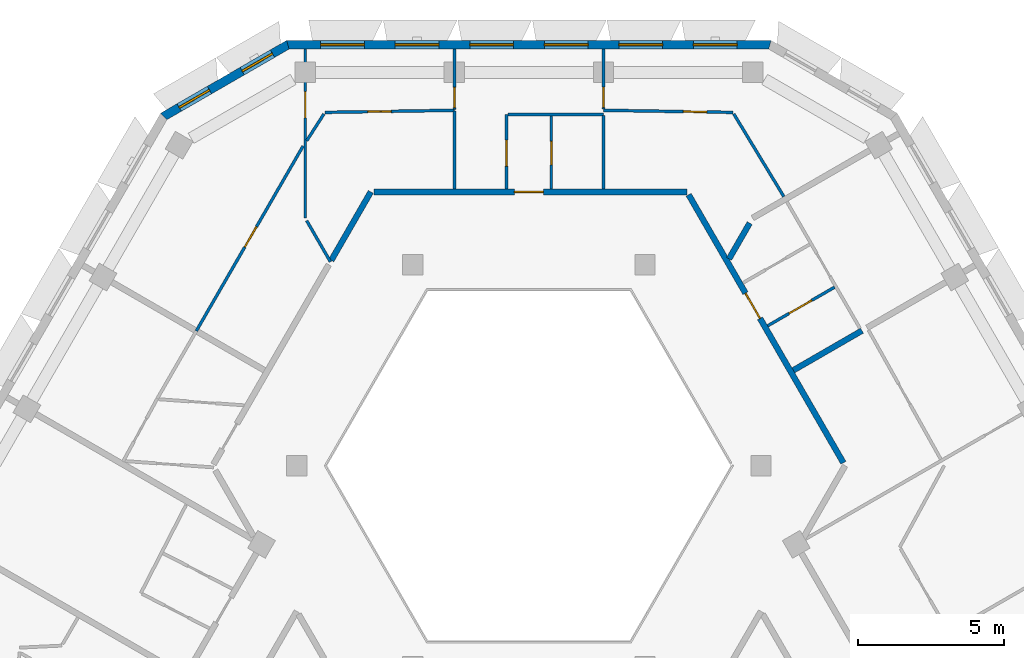
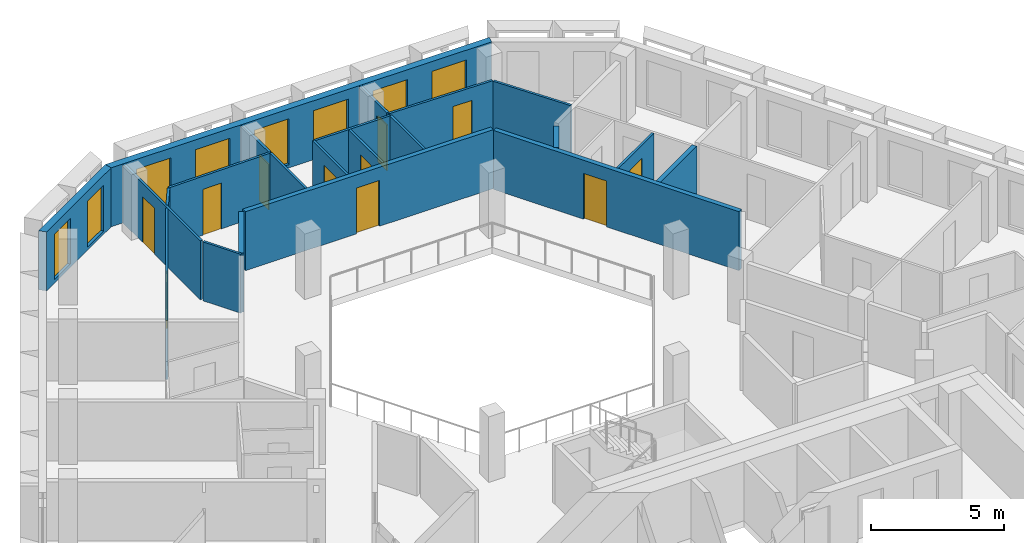
# One storey, part 8 of 16: 22 walls, 11 doors, 8 windows, 19 openings.
"""IFC4 building model written with IfcOpenShell, lengths in metres."""

from ifc_helpers import new_model, si_unit, direction, frame, frame_2d, origin, place, context, subcontext, project, spatial, polyline, rectangle, outline, extrude, material, layer, layer_set, type_object, element, fill, save


model = new_model("IFC4")

# Units and contexts
model_context = context("Model", 3, precision=1e-05, world=origin(), true_north=direction((0.0, 1.0)))
body_context = subcontext(model_context, "Body", "Model", "MODEL_VIEW")
ifc_project = project(units=[si_unit("LENGTHUNIT", "METRE"), si_unit("AREAUNIT", "SQUARE_METRE"), si_unit("VOLUMEUNIT", "CUBIC_METRE"), si_unit("PLANEANGLEUNIT", "RADIAN"), si_unit("MASSUNIT", "GRAM", prefix="KILO")], contexts=[model_context])

# Site, building, storey
site_placement = place(None, origin())
site = spatial("IfcSite", under=ifc_project, at=site_placement, CompositionType="ELEMENT")
building_placement = place(site_placement, origin())
building = spatial("IfcBuilding", under=site, at=building_placement, Name="Beryl Residences", CompositionType="ELEMENT")
storey_placement = place(building_placement, frame((0.0, 0.0, 214.800048828125)))
storey = spatial("IfcBuildingStorey", under=building, at=storey_placement, Name="L66", CompositionType="ELEMENT", Elevation=214.800048828125)

# Wall, openings, windows
ifc_material_1 = material(Name="Composite metal panel with mineral wool insulation")
ifc_layer_1 = layer(ifc_material_1, 0.300048828125)
ifc_layer_set_1 = layer_set([ifc_layer_1], Name="ES1 pale metal composite panel wall 300 mm")
wall_type_1 = type_object("IfcWallType", Name="ES1 pale metal composite panel wall 300 mm", PredefinedType="SOLIDWALL", material=ifc_layer_set_1)
wall_1_placement = place(storey_placement, frame((8.31396484375, 22.449951171875, 0.0), z_axis=(0.0, 0.0, 1.0), x_axis=(-1.0, 0.0, 0.0)))
wall_1 = element("IfcWall", 1, at=wall_1_placement, inside=storey, type_object=wall_type_1, Name="ES1 external wall L66 N", PredefinedType="SOLIDWALL", context=body_context, shape_type="SweptSolid", body=[
    extrude(outline(polyline([(0.0, -0.14990234375), (16.6279296875, -0.14990234375), (16.547607421875, 0.14990234375), (0.080322265625, 0.14990234375), (0.0, -0.14990234375)])), origin(), (0.0, 0.0, 1.0), 2.699951171875),
])
opening_1_placement = place(wall_1_placement, frame((1.1650390625, 0.0, 0.14990234375)))
opening_1 = element("IfcOpeningElement", 2, at=opening_1_placement, cuts=wall_1, Name="Opening W1", PredefinedType="OPENING", context=body_context, shape_type="SweptSolid", body=[
    extrude(rectangle(XDim=1.5, YDim=2.10009765625, at=frame_2d((0.75, 1.050048828125))), frame((0.0, 0.159912109375, 0.0), z_axis=(0.0, -1.0, 0.0), x_axis=(1.0, 0.0, 0.0)), (0.0, 0.0, 1.0), 0.320068359375),
])
opening_2_placement = place(wall_1_placement, frame((3.72412109375, 0.0, 0.14990234375)))
opening_2 = element("IfcOpeningElement", 3, at=opening_2_placement, cuts=wall_1, Name="Opening W1", PredefinedType="OPENING", context=body_context, shape_type="SweptSolid", body=[
    extrude(rectangle(XDim=1.5, YDim=2.10009765625, at=frame_2d((0.75, 1.050048828125))), frame((0.0, 0.159912109375, 0.0), z_axis=(0.0, -1.0, 0.0), x_axis=(1.0, 0.0, 0.0)), (0.0, 0.0, 1.0), 0.320068359375),
])
opening_3_placement = place(wall_1_placement, frame((6.283935546875, 0.0, 0.14990234375)))
opening_3 = element("IfcOpeningElement", 4, at=opening_3_placement, cuts=wall_1, Name="Opening W1", PredefinedType="OPENING", context=body_context, shape_type="SweptSolid", body=[
    extrude(rectangle(XDim=1.5, YDim=2.10009765625, at=frame_2d((0.75, 1.050048828125))), frame((0.0, 0.159912109375, 0.0), z_axis=(0.0, -1.0, 0.0), x_axis=(1.0, 0.0, 0.0)), (0.0, 0.0, 1.0), 0.320068359375),
])
opening_4_placement = place(wall_1_placement, frame((8.843017578125, 0.0, 0.14990234375)))
opening_4 = element("IfcOpeningElement", 5, at=opening_4_placement, cuts=wall_1, Name="Opening W1", PredefinedType="OPENING", context=body_context, shape_type="SweptSolid", body=[
    extrude(rectangle(XDim=1.5, YDim=2.10009765625, at=frame_2d((0.75, 1.050048828125))), frame((0.0, 0.159912109375, 0.0), z_axis=(0.0, -1.0, 0.0), x_axis=(1.0, 0.0, 0.0)), (0.0, 0.0, 1.0), 0.320068359375),
])
opening_5_placement = place(wall_1_placement, frame((11.403076171875, 0.0, 0.14990234375)))
opening_5 = element("IfcOpeningElement", 6, at=opening_5_placement, cuts=wall_1, Name="Opening W1", PredefinedType="OPENING", context=body_context, shape_type="SweptSolid", body=[
    extrude(rectangle(XDim=1.5, YDim=2.10009765625, at=frame_2d((0.75, 1.050048828125))), frame((0.0, 0.159912109375, 0.0), z_axis=(0.0, -1.0, 0.0), x_axis=(1.0, 0.0, 0.0)), (0.0, 0.0, 1.0), 0.320068359375),
])
opening_6_placement = place(wall_1_placement, frame((13.9619140625, 0.0, 0.14990234375)))
opening_6 = element("IfcOpeningElement", 7, at=opening_6_placement, cuts=wall_1, Name="Opening W1", PredefinedType="OPENING", context=body_context, shape_type="SweptSolid", body=[
    extrude(rectangle(XDim=1.5, YDim=2.10009765625, at=frame_2d((0.75, 1.050048828125))), frame((0.0, 0.159912109375, 0.0), z_axis=(0.0, -1.0, 0.0), x_axis=(1.0, 0.0, 0.0)), (0.0, 0.0, 1.0), 0.320068359375),
])
ifc_material_2 = material(Name="Aluminium and clear glass", Category="aluminium")
window_type_1 = type_object("IfcWindowType", Name="W1 cell window 1500 x 2100 mm", PartitioningType="SINGLE_PANEL", PredefinedType="WINDOW", material=ifc_material_2)
window_1_placement = place(opening_1_placement, origin())
window_1 = element("IfcWindow", 8, at=window_1_placement, inside=storey, type_object=window_type_1, Name="W1 window L66 N 1", OverallHeight=2.10009765625, OverallWidth=1.5, PartitioningType="SINGLE_PANEL", PredefinedType="WINDOW", context=body_context, shape_type="SweptSolid", body=[
    extrude(rectangle(XDim=1.5, YDim=2.10009765625, at=frame_2d((0.75, 1.050048828125))), frame((0.0, 0.030029296875, 0.0), z_axis=(0.0, -1.0, 0.0), x_axis=(1.0, 0.0, 0.0)), (0.0, 0.0, 1.0), 0.06005859375),
])
fill(opening_1, window_1)
window_2_placement = place(opening_2_placement, origin())
window_2 = element("IfcWindow", 9, at=window_2_placement, inside=storey, type_object=window_type_1, Name="W1 window L66 N 2", OverallHeight=2.10009765625, OverallWidth=1.5, PartitioningType="SINGLE_PANEL", PredefinedType="WINDOW", context=body_context, shape_type="SweptSolid", body=[
    extrude(rectangle(XDim=1.5, YDim=2.10009765625, at=frame_2d((0.75, 1.050048828125))), frame((0.0, 0.030029296875, 0.0), z_axis=(0.0, -1.0, 0.0), x_axis=(1.0, 0.0, 0.0)), (0.0, 0.0, 1.0), 0.06005859375),
])
fill(opening_2, window_2)
window_3_placement = place(opening_3_placement, origin())
window_3 = element("IfcWindow", 10, at=window_3_placement, inside=storey, type_object=window_type_1, Name="W1 window L66 N 3", OverallHeight=2.10009765625, OverallWidth=1.5, PartitioningType="SINGLE_PANEL", PredefinedType="WINDOW", context=body_context, shape_type="SweptSolid", body=[
    extrude(rectangle(XDim=1.5, YDim=2.10009765625, at=frame_2d((0.75, 1.050048828125))), frame((0.0, 0.030029296875, 0.0), z_axis=(0.0, -1.0, 0.0), x_axis=(1.0, 0.0, 0.0)), (0.0, 0.0, 1.0), 0.06005859375),
])
fill(opening_3, window_3)
window_4_placement = place(opening_4_placement, origin())
window_4 = element("IfcWindow", 11, at=window_4_placement, inside=storey, type_object=window_type_1, Name="W1 window L66 N 4", OverallHeight=2.10009765625, OverallWidth=1.5, PartitioningType="SINGLE_PANEL", PredefinedType="WINDOW", context=body_context, shape_type="SweptSolid", body=[
    extrude(rectangle(XDim=1.5, YDim=2.10009765625, at=frame_2d((0.75, 1.050048828125))), frame((0.0, 0.030029296875, 0.0), z_axis=(0.0, -1.0, 0.0), x_axis=(1.0, 0.0, 0.0)), (0.0, 0.0, 1.0), 0.06005859375),
])
fill(opening_4, window_4)
window_5_placement = place(opening_5_placement, origin())
window_5 = element("IfcWindow", 12, at=window_5_placement, inside=storey, type_object=window_type_1, Name="W1 window L66 N 5", OverallHeight=2.10009765625, OverallWidth=1.5, PartitioningType="SINGLE_PANEL", PredefinedType="WINDOW", context=body_context, shape_type="SweptSolid", body=[
    extrude(rectangle(XDim=1.5, YDim=2.10009765625, at=frame_2d((0.75, 1.050048828125))), frame((0.0, 0.030029296875, 0.0), z_axis=(0.0, -1.0, 0.0), x_axis=(1.0, 0.0, 0.0)), (0.0, 0.0, 1.0), 0.06005859375),
])
fill(opening_5, window_5)
window_6_placement = place(opening_6_placement, origin())
window_6 = element("IfcWindow", 13, at=window_6_placement, inside=storey, type_object=window_type_1, Name="W1 window L66 N 6", OverallHeight=2.10009765625, OverallWidth=1.5, PartitioningType="SINGLE_PANEL", PredefinedType="WINDOW", context=body_context, shape_type="SweptSolid", body=[
    extrude(rectangle(XDim=1.5, YDim=2.10009765625, at=frame_2d((0.75, 1.050048828125))), frame((0.0, 0.030029296875, 0.0), z_axis=(0.0, -1.0, 0.0), x_axis=(1.0, 0.0, 0.0)), (0.0, 0.0, 1.0), 0.06005859375),
])
fill(opening_6, window_6)

wall_2_placement = place(storey_placement, frame((-8.239013671875, 22.469970703125, 0.0), z_axis=(0.0, 0.0, 1.0), x_axis=(-0.866022959057, -0.500004234368, 0.0)))
wall_2 = element("IfcWall", 14, at=wall_2_placement, inside=storey, type_object=wall_type_1, Name="ES1 external wall L66 N-NW", PredefinedType="SOLIDWALL", context=body_context, shape_type="SweptSolid", body=[
    extrude(outline(polyline([(0.0, -0.14990234375), (5.0, -0.14990234375), (4.919677734375, 0.14990234375), (0.080322265625, 0.14990234375), (0.0, -0.14990234375)])), origin(), (0.0, 0.0, 1.0), 2.699951171875),
])
opening_7_placement = place(wall_2_placement, frame((0.64990234375, 0.0, 0.14990234375)))
opening_7 = element("IfcOpeningElement", 15, at=opening_7_placement, cuts=wall_2, Name="Opening W2", PredefinedType="OPENING", context=body_context, shape_type="SweptSolid", body=[
    extrude(rectangle(XDim=1.199951171875, YDim=2.10009765625, at=frame_2d((0.60009765625, 1.050048828125))), frame((0.0, 0.159912109375, 0.0), z_axis=(0.0, -1.0, 0.0), x_axis=(1.0, 0.0, 0.0)), (0.0, 0.0, 1.0), 0.320068359375),
])
opening_8_placement = place(wall_2_placement, frame((3.14892578125, 0.0, 0.14990234375)))
opening_8 = element("IfcOpeningElement", 16, at=opening_8_placement, cuts=wall_2, Name="Opening W2", PredefinedType="OPENING", context=body_context, shape_type="SweptSolid", body=[
    extrude(rectangle(XDim=1.199951171875, YDim=2.10009765625, at=frame_2d((0.60009765625, 1.050048828125))), frame((0.0, 0.159912109375, 0.0), z_axis=(0.0, -1.0, 0.0), x_axis=(1.0, 0.0, 0.0)), (0.0, 0.0, 1.0), 0.320068359375),
])
ifc_material_3 = material(Name="Aluminium and clear glass", Category="aluminium")
window_type_2 = type_object("IfcWindowType", Name="W2 chamfer window 1200 x 2100 mm", PartitioningType="SINGLE_PANEL", PredefinedType="WINDOW", material=ifc_material_3)
window_7_placement = place(opening_7_placement, origin())
window_7 = element("IfcWindow", 17, at=window_7_placement, inside=storey, type_object=window_type_2, Name="W2 window L66 N-NW 1", OverallHeight=2.10009765625, OverallWidth=1.199951171875, PartitioningType="SINGLE_PANEL", PredefinedType="WINDOW", context=body_context, shape_type="SweptSolid", body=[
    extrude(rectangle(XDim=1.199951171875, YDim=2.10009765625, at=frame_2d((0.60009765625, 1.050048828125))), frame((0.0, 0.030029296875, 0.0), z_axis=(0.0, -1.0, 0.0), x_axis=(1.0, 0.0, 0.0)), (0.0, 0.0, 1.0), 0.06005859375),
])
fill(opening_7, window_7)
window_8_placement = place(opening_8_placement, origin())
window_8 = element("IfcWindow", 18, at=window_8_placement, inside=storey, type_object=window_type_2, Name="W2 window L66 N-NW 2", OverallHeight=2.10009765625, OverallWidth=1.199951171875, PartitioningType="SINGLE_PANEL", PredefinedType="WINDOW", context=body_context, shape_type="SweptSolid", body=[
    extrude(rectangle(XDim=1.199951171875, YDim=2.10009765625, at=frame_2d((0.60009765625, 1.050048828125))), frame((0.0, 0.030029296875, 0.0), z_axis=(0.0, -1.0, 0.0), x_axis=(1.0, 0.0, 0.0)), (0.0, 0.0, 1.0), 0.06005859375),
])
fill(opening_8, window_8)

# Walls
ifc_material_4 = material(Name="Gypsum board partition on steel studs", Category="steel")
ifc_layer_2 = layer(ifc_material_4, 0.10009765625)
ifc_layer_set_2 = layer_set([ifc_layer_2], Name="PT1 partition 100 mm gypsum board on steel studs")
wall_type_2 = type_object("IfcWallType", Name="PT1 partition 100 mm gypsum board on steel studs", PredefinedType="PARTITIONING", material=ifc_layer_set_2)
wall_3_placement = place(storey_placement, frame((7.032958984375, 20.076904296875, 0.0), z_axis=(0.0, 0.0, 1.0), x_axis=(0.517918779664, -0.855429797044, 0.0)))
element("IfcWall", 19, at=wall_3_placement, inside=storey, type_object=wall_type_2, Name="Wall PT1 L66 003", PredefinedType="PARTITIONING", context=body_context, shape_type="SweptSolid", body=[
    extrude(rectangle(XDim=3.321044921875, YDim=0.10009765625, at=frame_2d((1.66064453125, 0.0))), origin(), (0.0, 0.0, 1.0), 2.699951171875),
])
wall_4_placement = place(storey_placement, frame((-7.6279296875, 16.412109375, 0.0), z_axis=(0.0, 0.0, 1.0), x_axis=(0.499843439945, -0.866115774908, 0.0)))
element("IfcWall", 20, at=wall_4_placement, inside=storey, type_object=wall_type_2, Name="Wall PT1 L66 005", PredefinedType="PARTITIONING", context=body_context, shape_type="SweptSolid", body=[
    extrude(rectangle(XDim=1.63037109375, YDim=0.10009765625, at=frame_2d((0.815185546875, 0.0))), origin(), (0.0, 0.0, 1.0), 2.699951171875),
])
wall_5_placement = place(storey_placement, frame((-2.55908203125, 20.169921875, 0.0), z_axis=(0.0, 0.0, 1.0), x_axis=(0.0, -1.0, 0.0)))
element("IfcWall", 21, at=wall_5_placement, inside=storey, type_object=wall_type_2, Name="Wall PT1 L66 010", PredefinedType="PARTITIONING", context=body_context, shape_type="SweptSolid", body=[
    extrude(rectangle(XDim=2.669921875, YDim=0.10009765625, at=frame_2d((1.3349609375, 0.0))), origin(), (0.0, 0.0, 1.0), 2.699951171875),
])

# Wall, opening, door
wall_6_placement = place(storey_placement, frame((2.56005859375, 22.300048828125, 0.0), z_axis=(0.0, 0.0, 1.0), x_axis=(0.0, -1.0, 0.0)))
wall_6 = element("IfcWall", 22, at=wall_6_placement, inside=storey, type_object=wall_type_2, Name="Wall PT1 L66 011", PredefinedType="PARTITIONING", context=body_context, shape_type="SweptSolid", body=[
    extrude(rectangle(XDim=2.050048828125, YDim=0.10009765625, at=frame_2d((1.02490234375, 0.0))), origin(), (0.0, 0.0, 1.0), 2.699951171875),
])
opening_9_placement = place(wall_6_placement, frame((1.300048828125, 0.0, 0.0)))
opening_9 = element("IfcOpeningElement", 23, at=opening_9_placement, cuts=wall_6, Name="Opening D1805", PredefinedType="OPENING", context=body_context, shape_type="SweptSolid", body=[
    extrude(rectangle(XDim=0.699951171875, YDim=2.10009765625, at=frame_2d((0.35009765625, 1.050048828125))), frame((0.0, 0.06005859375, 0.0), z_axis=(0.0, -1.0, 0.0), x_axis=(1.0, 0.0, 0.0)), (0.0, 0.0, 1.0), 0.1201171875),
])
ifc_material_5 = material(Name="Timber door leaf", Category="wood")
door_type_1 = type_object("IfcDoorType", Name="D14 room door 700 x 2100 mm", OperationType="SINGLE_SWING_LEFT", PredefinedType="DOOR", material=ifc_material_5)
door_1_placement = place(opening_9_placement, origin())
door_1 = element("IfcDoor", 24, at=door_1_placement, inside=storey, type_object=door_type_1, Name="Door D1805 L66 001", OperationType="SINGLE_SWING_LEFT", OverallHeight=2.10009765625, OverallWidth=0.699951171875, PredefinedType="DOOR", context=body_context, shape_type="SweptSolid", body=[
    extrude(rectangle(XDim=0.699951171875, YDim=2.10009765625, at=frame_2d((0.35009765625, 1.050048828125))), frame((0.0, 0.02490234375, 0.0), z_axis=(0.0, -1.0, 0.0), x_axis=(1.0, 0.0, 0.0)), (0.0, 0.0, 1.0), 0.050048828125),
])
fill(opening_9, door_1)

# Wall
wall_7_placement = place(storey_placement, frame((2.56005859375, 20.030029296875, 0.0), z_axis=(0.0, 0.0, 1.0), x_axis=(0.0, -1.0, 0.0)))
element("IfcWall", 25, at=wall_7_placement, inside=storey, type_object=wall_type_2, Name="Wall PT1 L66 012", PredefinedType="PARTITIONING", context=body_context, shape_type="SweptSolid", body=[
    extrude(rectangle(XDim=2.530029296875, YDim=0.10009765625, at=frame_2d((1.26513671875, 0.0))), origin(), (0.0, 0.0, 1.0), 2.699951171875),
])

# Wall, opening, door
wall_8_placement = place(storey_placement, frame((2.56005859375, 20.199951171875, 0.0), z_axis=(0.0, 0.0, 1.0), x_axis=(0.999868576801, -0.016212005615, 0.0)))
wall_8 = element("IfcWall", 26, at=wall_8_placement, inside=storey, type_object=wall_type_2, Name="Wall PT1 L66 013", PredefinedType="PARTITIONING", context=body_context, shape_type="SweptSolid", body=[
    extrude(rectangle(XDim=4.4423828125, YDim=0.10009765625, at=frame_2d((2.22119140625, 0.0))), origin(), (0.0, 0.0, 1.0), 2.699951171875),
])
opening_10_placement = place(wall_8_placement, frame((2.74609375, 0.0, 0.0)))
opening_10 = element("IfcOpeningElement", 27, at=opening_10_placement, cuts=wall_8, Name="Opening D1806", PredefinedType="OPENING", context=body_context, shape_type="SweptSolid", body=[
    extrude(rectangle(XDim=0.800048828125, YDim=2.10009765625, at=frame_2d((0.39990234375, 1.050048828125))), frame((0.0, 0.06005859375, 0.0), z_axis=(0.0, -1.0, 0.0), x_axis=(1.0, 0.0, 0.0)), (0.0, 0.0, 1.0), 0.1201171875),
])
ifc_material_6 = material(Name="Timber door leaf", Category="wood")
door_type_2 = type_object("IfcDoorType", Name="D3 bathroom door 800 x 2100 mm", OperationType="SINGLE_SWING_LEFT", PredefinedType="DOOR", material=ifc_material_6)
door_2_placement = place(opening_10_placement, origin())
door_2 = element("IfcDoor", 28, at=door_2_placement, inside=storey, type_object=door_type_2, Name="Door D1806 L66 001", OperationType="SINGLE_SWING_RIGHT", OverallHeight=2.10009765625, OverallWidth=0.800048828125, PredefinedType="DOOR", context=body_context, shape_type="SweptSolid", body=[
    extrude(rectangle(XDim=0.800048828125, YDim=2.10009765625, at=frame_2d((0.39990234375, 1.050048828125))), frame((0.0, 0.02490234375, 0.0), z_axis=(0.0, -1.0, 0.0), x_axis=(1.0, 0.0, 0.0)), (0.0, 0.0, 1.0), 0.050048828125),
])
fill(opening_10, door_2)

# Walls
wall_9_placement = place(storey_placement, frame((-0.716064453125, 20.06005859375, 0.0), z_axis=(0.0, 0.0, 1.0), x_axis=(1.0, 0.0, 0.0)))
element("IfcWall", 29, at=wall_9_placement, inside=storey, type_object=wall_type_2, Name="Wall PT1 L66 026", PredefinedType="PARTITIONING", context=body_context, shape_type="SweptSolid", body=[
    extrude(rectangle(XDim=3.276123046875, YDim=0.10009765625, at=frame_2d((1.63818359375, 0.0))), origin(), (0.0, 0.0, 1.0), 2.699951171875),
])
wall_10_placement = place(storey_placement, frame((-7.6279296875, 19.154052734375, 0.0), z_axis=(0.0, 0.0, 1.0), x_axis=(0.540600102017, 0.841279697663, 0.0)))
element("IfcWall", 30, at=wall_10_placement, inside=storey, type_object=wall_type_2, Name="Wall PT1 L66 028", PredefinedType="PARTITIONING", context=body_context, shape_type="SweptSolid", body=[
    extrude(rectangle(XDim=1.096923828125, YDim=0.10009765625, at=frame_2d((0.54833984375, 0.0))), origin(), (0.0, 0.0, 1.0), 2.699951171875),
])

# Wall, opening, door
wall_11_placement = place(storey_placement, frame((0.76806640625, 17.5, 0.0), z_axis=(0.0, 0.0, 1.0), x_axis=(0.0, 1.0, 0.0)))
wall_11 = element("IfcWall", 31, at=wall_11_placement, inside=storey, type_object=wall_type_2, Name="Wall PT1 L66 037", PredefinedType="PARTITIONING", context=body_context, shape_type="SweptSolid", body=[
    extrude(rectangle(XDim=2.510009765625, YDim=0.10009765625, at=frame_2d((1.2548828125, 0.0))), origin(), (0.0, 0.0, 1.0), 2.699951171875),
])
opening_11_placement = place(wall_11_placement, frame((0.830078125, 0.0, 0.0)))
opening_11 = element("IfcOpeningElement", 32, at=opening_11_placement, cuts=wall_11, Name="Opening D1803", PredefinedType="OPENING", context=body_context, shape_type="SweptSolid", body=[
    extrude(rectangle(XDim=0.800048828125, YDim=2.10009765625, at=frame_2d((0.39990234375, 1.050048828125))), frame((0.0, 0.06005859375, 0.0), z_axis=(0.0, -1.0, 0.0), x_axis=(1.0, 0.0, 0.0)), (0.0, 0.0, 1.0), 0.1201171875),
])
door_3_placement = place(opening_11_placement, origin())
door_3 = element("IfcDoor", 33, at=door_3_placement, inside=storey, type_object=door_type_2, Name="Door D1803 L66 001", OperationType="SINGLE_SWING_LEFT", OverallHeight=2.10009765625, OverallWidth=0.800048828125, PredefinedType="DOOR", context=body_context, shape_type="SweptSolid", body=[
    extrude(rectangle(XDim=0.800048828125, YDim=2.10009765625, at=frame_2d((0.39990234375, 1.050048828125))), frame((0.0, 0.02490234375, 0.0), z_axis=(0.0, -1.0, 0.0), x_axis=(1.0, 0.0, 0.0)), (0.0, 0.0, 1.0), 0.050048828125),
])
fill(opening_11, door_3)

wall_12_placement = place(storey_placement, frame((-7.677978515625, 16.4990234375, 0.0), z_axis=(0.0, 0.0, 1.0), x_axis=(0.0, 1.0, 0.0)))
wall_12 = element("IfcWall", 34, at=wall_12_placement, inside=storey, type_object=wall_type_2, Name="Wall PT1 L66 039", PredefinedType="PARTITIONING", context=body_context, shape_type="SweptSolid", body=[
    extrude(rectangle(XDim=5.801025390625, YDim=0.10009765625, at=frame_2d((2.900390625, 0.0))), origin(), (0.0, 0.0, 1.0), 2.699951171875),
])
opening_12_placement = place(wall_12_placement, frame((3.43994140625, 0.0, 0.0)))
opening_12 = element("IfcOpeningElement", 35, at=opening_12_placement, cuts=wall_12, Name="Opening D1808", PredefinedType="OPENING", context=body_context, shape_type="SweptSolid", body=[
    extrude(rectangle(XDim=0.89990234375, YDim=2.10009765625, at=frame_2d((0.449951171875, 1.050048828125))), frame((0.0, 0.06005859375, 0.0), z_axis=(0.0, -1.0, 0.0), x_axis=(1.0, 0.0, 0.0)), (0.0, 0.0, 1.0), 0.1201171875),
])
ifc_material_7 = material(Name="Timber door leaf", Category="wood")
door_type_3 = type_object("IfcDoorType", Name="D2 room door 900 x 2100 mm", OperationType="SINGLE_SWING_LEFT", PredefinedType="DOOR", material=ifc_material_7)
door_4_placement = place(opening_12_placement, origin())
door_4 = element("IfcDoor", 36, at=door_4_placement, inside=storey, type_object=door_type_3, Name="Door D1808 L66 001", OperationType="SINGLE_SWING_RIGHT", OverallHeight=2.10009765625, OverallWidth=0.89990234375, PredefinedType="DOOR", context=body_context, shape_type="SweptSolid", body=[
    extrude(rectangle(XDim=0.89990234375, YDim=2.10009765625, at=frame_2d((0.449951171875, 1.050048828125))), frame((0.0, 0.02490234375, 0.0), z_axis=(0.0, -1.0, 0.0), x_axis=(1.0, 0.0, 0.0)), (0.0, 0.0, 1.0), 0.050048828125),
])
fill(opening_12, door_4)

wall_13_placement = place(storey_placement, frame((-0.76708984375, 17.5, 0.0), z_axis=(0.0, 0.0, 1.0), x_axis=(0.0, 1.0, 0.0)))
wall_13 = element("IfcWall", 37, at=wall_13_placement, inside=storey, type_object=wall_type_2, Name="Wall PT1 L66 040", PredefinedType="PARTITIONING", context=body_context, shape_type="SweptSolid", body=[
    extrude(rectangle(XDim=2.55908203125, YDim=0.10009765625, at=frame_2d((1.279541015625, 0.0))), origin(), (0.0, 0.0, 1.0), 2.699951171875),
])
opening_13_placement = place(wall_13_placement, frame((0.780029296875, 0.0, 0.0)))
opening_13 = element("IfcOpeningElement", 38, at=opening_13_placement, cuts=wall_13, Name="Opening D1802", PredefinedType="OPENING", context=body_context, shape_type="SweptSolid", body=[
    extrude(rectangle(XDim=0.89990234375, YDim=2.10009765625, at=frame_2d((0.449951171875, 1.050048828125))), frame((0.0, 0.06005859375, 0.0), z_axis=(0.0, -1.0, 0.0), x_axis=(1.0, 0.0, 0.0)), (0.0, 0.0, 1.0), 0.1201171875),
])
door_5_placement = place(opening_13_placement, origin())
door_5 = element("IfcDoor", 39, at=door_5_placement, inside=storey, type_object=door_type_3, Name="Door D1802 L66 001", OperationType="SINGLE_SWING_RIGHT", OverallHeight=2.10009765625, OverallWidth=0.89990234375, PredefinedType="DOOR", context=body_context, shape_type="SweptSolid", body=[
    extrude(rectangle(XDim=0.89990234375, YDim=2.10009765625, at=frame_2d((0.449951171875, 1.050048828125))), frame((0.0, 0.02490234375, 0.0), z_axis=(0.0, -1.0, 0.0), x_axis=(1.0, 0.0, 0.0)), (0.0, 0.0, 1.0), 0.050048828125),
])
fill(opening_13, door_5)

wall_14_placement = place(storey_placement, frame((-2.55908203125, 20.22998046875, 0.0), z_axis=(0.0, 0.0, 1.0), x_axis=(0.0, 1.0, 0.0)))
wall_14 = element("IfcWall", 40, at=wall_14_placement, inside=storey, type_object=wall_type_2, Name="Wall PT1 L66 041", PredefinedType="PARTITIONING", context=body_context, shape_type="SweptSolid", body=[
    extrude(rectangle(XDim=2.070068359375, YDim=0.10009765625, at=frame_2d((1.03515625, 0.0))), origin(), (0.0, 0.0, 1.0), 2.699951171875),
])
opening_14_placement = place(wall_14_placement, frame((0.06005859375, 0.0, 0.0)))
opening_14 = element("IfcOpeningElement", 41, at=opening_14_placement, cuts=wall_14, Name="Opening D1804", PredefinedType="OPENING", context=body_context, shape_type="SweptSolid", body=[
    extrude(rectangle(XDim=0.699951171875, YDim=2.10009765625, at=frame_2d((0.35009765625, 1.050048828125))), frame((0.0, 0.06005859375, 0.0), z_axis=(0.0, -1.0, 0.0), x_axis=(1.0, 0.0, 0.0)), (0.0, 0.0, 1.0), 0.1201171875),
])
door_6_placement = place(opening_14_placement, origin())
door_6 = element("IfcDoor", 42, at=door_6_placement, inside=storey, type_object=door_type_1, Name="Door D1804 L66 001", OperationType="SINGLE_SWING_RIGHT", OverallHeight=2.10009765625, OverallWidth=0.699951171875, PredefinedType="DOOR", context=body_context, shape_type="SweptSolid", body=[
    extrude(rectangle(XDim=0.699951171875, YDim=2.10009765625, at=frame_2d((0.35009765625, 1.050048828125))), frame((0.0, 0.02490234375, 0.0), z_axis=(0.0, -1.0, 0.0), x_axis=(1.0, 0.0, 0.0)), (0.0, 0.0, 1.0), 0.050048828125),
])
fill(opening_14, door_6)

wall_15_placement = place(storey_placement, frame((-7.001953125, 20.1279296875, 0.0), z_axis=(0.0, 0.0, 1.0), x_axis=(0.999868634558, 0.016208443081, 0.0)))
wall_15 = element("IfcWall", 43, at=wall_15_placement, inside=storey, type_object=wall_type_2, Name="Wall PT1 L66 042", PredefinedType="PARTITIONING", context=body_context, shape_type="SweptSolid", body=[
    extrude(rectangle(XDim=4.443359375, YDim=0.10009765625, at=frame_2d((2.2216796875, 0.0))), origin(), (0.0, 0.0, 1.0), 2.699951171875),
])
opening_15_placement = place(wall_15_placement, frame((1.47509765625, 0.0, 0.0)))
opening_15 = element("IfcOpeningElement", 44, at=opening_15_placement, cuts=wall_15, Name="Opening D1807", PredefinedType="OPENING", context=body_context, shape_type="SweptSolid", body=[
    extrude(rectangle(XDim=0.800048828125, YDim=2.10009765625, at=frame_2d((0.39990234375, 1.050048828125))), frame((0.0, 0.06005859375, 0.0), z_axis=(0.0, -1.0, 0.0), x_axis=(1.0, 0.0, 0.0)), (0.0, 0.0, 1.0), 0.1201171875),
])
door_7_placement = place(opening_15_placement, origin())
door_7 = element("IfcDoor", 45, at=door_7_placement, inside=storey, type_object=door_type_2, Name="Door D1807 L66 001", OperationType="SINGLE_SWING_LEFT", OverallHeight=2.10009765625, OverallWidth=0.800048828125, PredefinedType="DOOR", context=body_context, shape_type="SweptSolid", body=[
    extrude(rectangle(XDim=0.800048828125, YDim=2.10009765625, at=frame_2d((0.39990234375, 1.050048828125))), frame((0.0, 0.02490234375, 0.0), z_axis=(0.0, -1.0, 0.0), x_axis=(1.0, 0.0, 0.0)), (0.0, 0.0, 1.0), 0.050048828125),
])
fill(opening_15, door_7)

wall_16_placement = place(storey_placement, frame((8.197021484375, 12.802001953125, 0.0), z_axis=(0.0, 0.0, 1.0), x_axis=(0.866029095148, 0.499993606316, 0.0)))
wall_16 = element("IfcWall", 46, at=wall_16_placement, inside=storey, type_object=wall_type_2, Name="Wall PT1 L66 049", PredefinedType="PARTITIONING", context=body_context, shape_type="SweptSolid", body=[
    extrude(rectangle(XDim=2.64990234375, YDim=0.10009765625, at=frame_2d((1.324951171875, 0.0))), origin(), (0.0, 0.0, 1.0), 2.699951171875),
])
opening_16_placement = place(wall_16_placement, frame((0.85009765625, 0.0, 0.0)))
opening_16 = element("IfcOpeningElement", 47, at=opening_16_placement, cuts=wall_16, Name="Opening D1840", PredefinedType="OPENING", context=body_context, shape_type="SweptSolid", body=[
    extrude(rectangle(XDim=0.89990234375, YDim=2.10009765625, at=frame_2d((0.449951171875, 1.050048828125))), frame((0.0, 0.06005859375, 0.0), z_axis=(0.0, -1.0, 0.0), x_axis=(1.0, 0.0, 0.0)), (0.0, 0.0, 1.0), 0.1201171875),
])
door_8_placement = place(opening_16_placement, origin())
door_8 = element("IfcDoor", 48, at=door_8_placement, inside=storey, type_object=door_type_3, Name="Door D1840 L66 001", OperationType="SINGLE_SWING_RIGHT", OverallHeight=2.10009765625, OverallWidth=0.89990234375, PredefinedType="DOOR", context=body_context, shape_type="SweptSolid", body=[
    extrude(rectangle(XDim=0.89990234375, YDim=2.10009765625, at=frame_2d((0.449951171875, 1.050048828125))), frame((0.0, 0.02490234375, 0.0), z_axis=(0.0, -1.0, 0.0), x_axis=(1.0, 0.0, 0.0)), (0.0, 0.0, 1.0), 0.050048828125),
])
fill(opening_16, door_8)

wall_17_placement = place(storey_placement, frame((-11.4169921875, 12.625, 0.0), z_axis=(0.0, 0.0, 1.0), x_axis=(0.500007885066, 0.866020851292, 0.0)))
wall_17 = element("IfcWall", 49, at=wall_17_placement, inside=storey, type_object=wall_type_2, Name="Wall PT1 L66 052", PredefinedType="PARTITIONING", context=body_context, shape_type="SweptSolid", body=[
    extrude(rectangle(XDim=7.330078125, YDim=0.10009765625, at=frame_2d((3.6650390625, 0.0))), origin(), (0.0, 0.0, 1.0), 2.699951171875),
])
opening_17_placement = place(wall_17_placement, frame((3.327880859375, 0.0, 0.0)))
opening_17 = element("IfcOpeningElement", 50, at=opening_17_placement, cuts=wall_17, Name="Opening D1809", PredefinedType="OPENING", context=body_context, shape_type="SweptSolid", body=[
    extrude(rectangle(XDim=0.800048828125, YDim=2.10009765625, at=frame_2d((0.39990234375, 1.050048828125))), frame((0.0, 0.06005859375, 0.0), z_axis=(0.0, -1.0, 0.0), x_axis=(1.0, 0.0, 0.0)), (0.0, 0.0, 1.0), 0.1201171875),
])
door_9_placement = place(opening_17_placement, origin())
door_9 = element("IfcDoor", 51, at=door_9_placement, inside=storey, type_object=door_type_2, Name="Door D1809 L66 001", OperationType="SINGLE_SWING_LEFT", OverallHeight=2.10009765625, OverallWidth=0.800048828125, PredefinedType="DOOR", context=body_context, shape_type="SweptSolid", body=[
    extrude(rectangle(XDim=0.800048828125, YDim=2.10009765625, at=frame_2d((0.39990234375, 1.050048828125))), frame((0.0, 0.02490234375, 0.0), z_axis=(0.0, -1.0, 0.0), x_axis=(1.0, 0.0, 0.0)), (0.0, 0.0, 1.0), 0.050048828125),
])
fill(opening_17, door_9)

# Walls
ifc_material_8 = material(Name="Acoustic double stud gypsum board wall")
ifc_layer_3 = layer(ifc_material_8, 0.199951171875)
ifc_layer_set_3 = layer_set([ifc_layer_3], Name="PT3 party wall 200 mm acoustic double stud")
wall_type_3 = type_object("IfcWallType", Name="PT3 party wall 200 mm acoustic double stud", PredefinedType="PARTITIONING", material=ifc_layer_set_3)
wall_18_placement = place(storey_placement, frame((6.87109375, 15.10009765625, 0.0), z_axis=(0.0, 0.0, 1.0), x_axis=(0.50006528296, 0.865987709369, 0.0)))
element("IfcWall", 52, at=wall_18_placement, inside=storey, type_object=wall_type_3, Name="Wall PT3 L66 009", PredefinedType="PARTITIONING", context=body_context, shape_type="SweptSolid", body=[
    extrude(rectangle(XDim=1.417724609375, YDim=0.199951171875, at=frame_2d((0.708984375, 0.0))), origin(), (0.0, 0.0, 1.0), 2.699951171875),
])
wall_19_placement = place(storey_placement, frame((9.0791015625, 11.27490234375, 0.0), z_axis=(0.0, 0.0, 1.0), x_axis=(0.865952340496, 0.500126527981, 0.0)))
element("IfcWall", 53, at=wall_19_placement, inside=storey, type_object=wall_type_3, Name="Wall PT3 L66 010", PredefinedType="PARTITIONING", context=body_context, shape_type="SweptSolid", body=[
    extrude(rectangle(XDim=2.719482421875, YDim=0.199951171875, at=frame_2d((1.35986328125, 0.0))), origin(), (0.0, 0.0, 1.0), 2.699951171875),
])

# Wall, opening, door
ifc_material_9 = material(Name="Double stud gypsum board wall")
ifc_layer_4 = layer(ifc_material_9, 0.199951171875)
ifc_layer_set_4 = layer_set([ifc_layer_4], Name="PT4 corridor wall 200 mm double stud")
wall_type_4 = type_object("IfcWallType", Name="PT4 corridor wall 200 mm double stud", PredefinedType="PARTITIONING", material=ifc_layer_set_4)
wall_20_placement = place(storey_placement, frame((5.485107421875, 17.300048828125, 0.0), z_axis=(0.0, 0.0, 1.0), x_axis=(0.499943285704, -0.866058145322, 0.0)))
wall_20 = element("IfcWall", 54, at=wall_20_placement, inside=storey, type_object=wall_type_4, Name="Wall PT4 L66 007", PredefinedType="PARTITIONING", context=body_context, shape_type="SweptSolid", body=[
    extrude(rectangle(XDim=10.622802734375, YDim=0.199951171875, at=frame_2d((5.3115234375, 0.0))), origin(), (0.0, 0.0, 1.0), 2.699951171875),
])
opening_18_placement = place(wall_20_placement, frame((3.90087890625, 0.0, 0.0)))
opening_18 = element("IfcOpeningElement", 55, at=opening_18_placement, cuts=wall_20, Name="Opening D1838", PredefinedType="OPENING", context=body_context, shape_type="SweptSolid", body=[
    extrude(rectangle(XDim=1.0, YDim=2.10009765625, at=frame_2d((0.5, 1.050048828125))), frame((0.0, 0.10986328125, 0.0), z_axis=(0.0, -1.0, 0.0), x_axis=(1.0, 0.0, 0.0)), (0.0, 0.0, 1.0), 0.219970703125),
])
ifc_material_10 = material(Name="Timber door leaf", Category="wood")
door_type_4 = type_object("IfcDoorType", Name="D1 flat entrance door 1000 x 2100 mm", OperationType="SINGLE_SWING_LEFT", PredefinedType="DOOR", material=ifc_material_10)
door_10_placement = place(opening_18_placement, origin())
door_10 = element("IfcDoor", 56, at=door_10_placement, inside=storey, type_object=door_type_4, Name="Door D1838 L66 001", OperationType="SINGLE_SWING_RIGHT", OverallHeight=2.10009765625, OverallWidth=1.0, PredefinedType="DOOR", context=body_context, shape_type="SweptSolid", body=[
    extrude(rectangle(XDim=1.0, YDim=2.10009765625, at=frame_2d((0.5, 1.050048828125))), frame((0.0, 0.02490234375, 0.0), z_axis=(0.0, -1.0, 0.0), x_axis=(1.0, 0.0, 0.0)), (0.0, 0.0, 1.0), 0.050048828125),
])
fill(opening_18, door_10)

wall_21_placement = place(storey_placement, frame((-5.31103515625, 17.39990234375, 0.0), z_axis=(0.0, 0.0, 1.0), x_axis=(1.0, 0.0, 0.0)))
wall_21 = element("IfcWall", 57, at=wall_21_placement, inside=storey, type_object=wall_type_4, Name="Wall PT4 L66 019", PredefinedType="PARTITIONING", context=body_context, shape_type="SweptSolid", body=[
    extrude(rectangle(XDim=10.737060546875, YDim=0.199951171875, at=frame_2d((5.36865234375, 0.0))), origin(), (0.0, 0.0, 1.0), 2.699951171875),
])
opening_19_placement = place(wall_21_placement, frame((4.81201171875, 0.0, 0.0)))
opening_19 = element("IfcOpeningElement", 58, at=opening_19_placement, cuts=wall_21, Name="Opening D1801", PredefinedType="OPENING", context=body_context, shape_type="SweptSolid", body=[
    extrude(rectangle(XDim=1.0, YDim=2.10009765625, at=frame_2d((0.5, 1.050048828125))), frame((0.0, 0.10986328125, 0.0), z_axis=(0.0, -1.0, 0.0), x_axis=(1.0, 0.0, 0.0)), (0.0, 0.0, 1.0), 0.219970703125),
])
door_11_placement = place(opening_19_placement, origin())
door_11 = element("IfcDoor", 59, at=door_11_placement, inside=storey, type_object=door_type_4, Name="Door D1801 L66 001", OperationType="SINGLE_SWING_LEFT", OverallHeight=2.10009765625, OverallWidth=1.0, PredefinedType="DOOR", context=body_context, shape_type="SweptSolid", body=[
    extrude(rectangle(XDim=1.0, YDim=2.10009765625, at=frame_2d((0.5, 1.050048828125))), frame((0.0, 0.02490234375, 0.0), z_axis=(0.0, -1.0, 0.0), x_axis=(1.0, 0.0, 0.0)), (0.0, 0.0, 1.0), 0.050048828125),
])
fill(opening_19, door_11)

# Wall
wall_22_placement = place(storey_placement, frame((-6.783935546875, 15.050048828125, 0.0), z_axis=(0.0, 0.0, 1.0), x_axis=(0.500067724834, 0.865986299303, 0.0)))
element("IfcWall", 60, at=wall_22_placement, inside=storey, type_object=wall_type_4, Name="Wall PT4 L66 028", PredefinedType="PARTITIONING", context=body_context, shape_type="SweptSolid", body=[
    extrude(rectangle(XDim=2.71337890625, YDim=0.199951171875, at=frame_2d((1.356689453125, 0.0))), origin(), (0.0, 0.0, 1.0), 2.699951171875),
])

save(model, "model.ifc")
